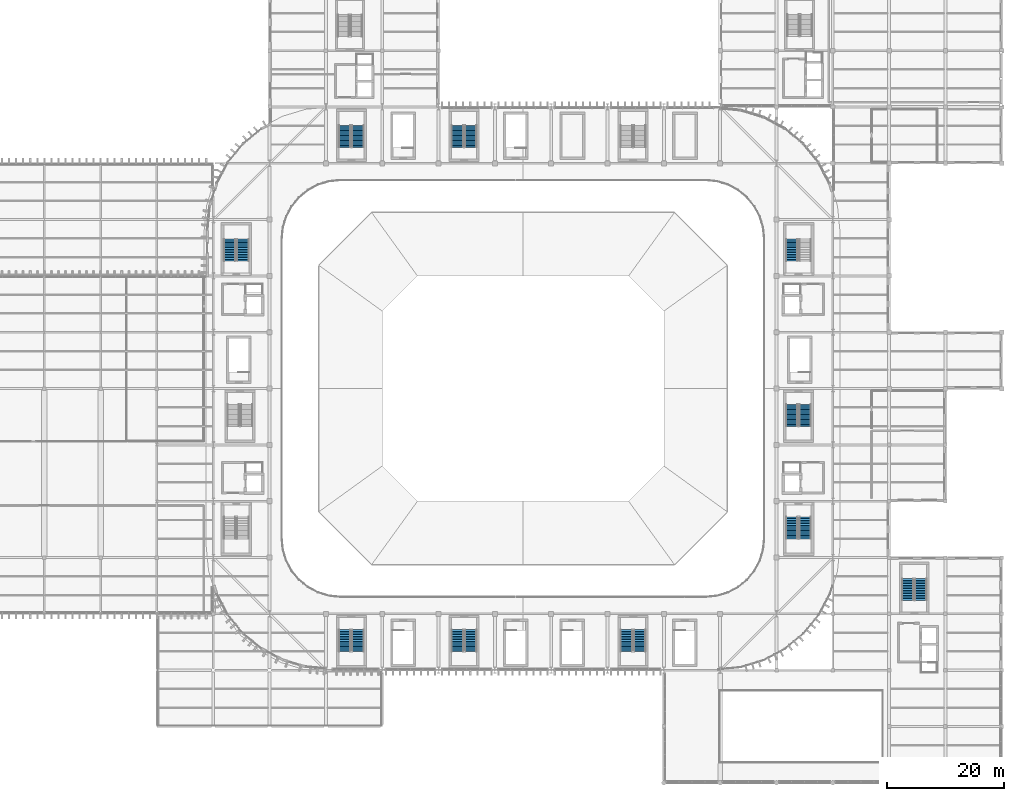
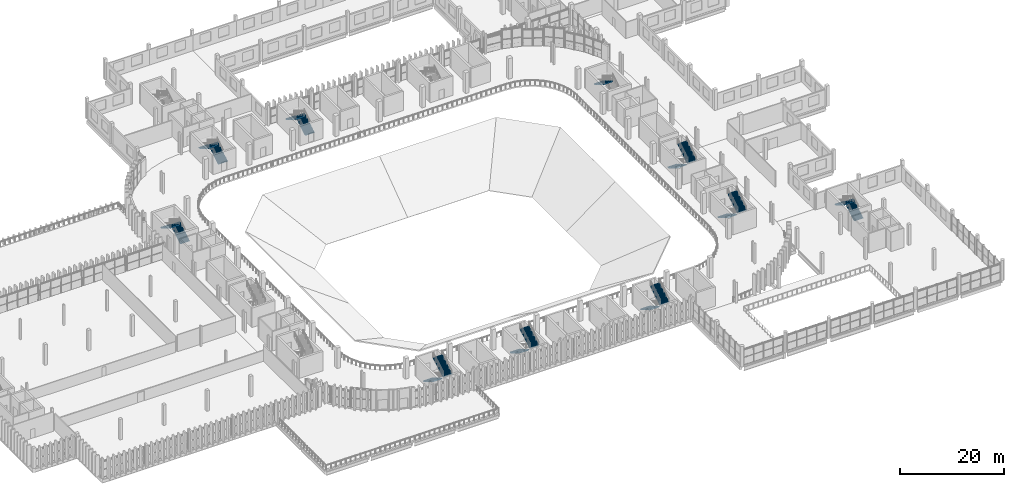
# One storey, part 70 of 99: 19 stair flights, 10 elements without a shape of their own.
"""IFC4 building model written with IfcOpenShell, lengths in metres."""

from ifc_helpers import new_model, si_unit, direction, frame, origin, place, context, subcontext, project, spatial, polyline, outline, extrude, material, type_object, element, aggregate, save


model = new_model("IFC4")

# Units and contexts
model_context = context("Model", 3, precision=1e-05, world=origin(), true_north=direction((0.0, 1.0)))
body_context = subcontext(model_context, "Body", "Model", "MODEL_VIEW")
ifc_project = project(units=[si_unit("LENGTHUNIT", "METRE"), si_unit("AREAUNIT", "SQUARE_METRE"), si_unit("VOLUMEUNIT", "CUBIC_METRE"), si_unit("PLANEANGLEUNIT", "RADIAN"), si_unit("MASSUNIT", "GRAM", prefix="KILO")], contexts=[model_context])

# Site, building, storey
site_placement = place(None, origin())
site = spatial("IfcSite", under=ifc_project, at=site_placement, CompositionType="ELEMENT")
building_placement = place(site_placement, origin())
building = spatial("IfcBuilding", under=site, at=building_placement, Name="Caelomonte Colonnade Arena", CompositionType="ELEMENT")
storey_placement = place(building_placement, frame((0.0, 0.0, 4.800048828125)))
storey = spatial("IfcBuildingStorey", under=building, at=storey_placement, Name="L01", CompositionType="ELEMENT", Elevation=4.800048828125)

# Stair, stair flights
ifc_material = material(Name="Concrete C40/50", Category="concrete")
stair_type_1 = type_object("IfcStairType", Name="INT-ST-CORE48", PredefinedType="HALF_TURN_STAIR", material=ifc_material)
stair_1_placement = place(storey_placement, origin())
stair_1 = element("IfcStair", 1, at=stair_1_placement, inside=storey, type_object=stair_type_1, Name="L01 Protected exit stair ST-10", PredefinedType="HALF_TURN_STAIR")
stair_flight_type_1 = type_object("IfcStairFlightType", Name="INT-SF-CORE48", PredefinedType="STRAIGHT", material=ifc_material)
stair_flight_1_placement = place(storey_placement, frame((156.22509765625, 64.5, 0.0), z_axis=(0.0, 0.0, 1.0), x_axis=(0.0, -1.0, 0.0)))
stair_flight_1 = element("IfcStairFlight", 2, at=stair_flight_1_placement, type_object=stair_flight_type_1, Name="ST-10 flight 1", NumberOfRisers=14, NumberOfTreads=13, PredefinedType="STRAIGHT", RiserHeight=0.171428571, TreadLength=0.285, context=body_context, shape_type="SweptSolid", body=[
    extrude(outline(polyline([(-0.02490234375, 0.0), (-0.02490234375, 0.102783203125), (0.0, 0.102783203125), (0.0, 0.17138671875), (0.284912109375, 0.17138671875), (0.284912109375, 0.3427734375), (0.570068359375, 0.3427734375), (0.570068359375, 0.514404296875), (0.85498046875, 0.514404296875), (0.85498046875, 0.685791015625), (1.139892578125, 0.685791015625), (1.139892578125, 0.857177734375), (1.425048828125, 0.857177734375), (1.425048828125, 1.028564453125), (1.7099609375, 1.028564453125), (1.7099609375, 1.199951171875), (1.9951171875, 1.199951171875), (1.9951171875, 1.371337890625), (2.280029296875, 1.371337890625), (2.280029296875, 1.54296875), (2.56494140625, 1.54296875), (2.56494140625, 1.71435546875), (2.85009765625, 1.71435546875), (2.85009765625, 1.8857421875), (3.135009765625, 1.8857421875), (3.135009765625, 2.05712890625), (3.419921875, 2.05712890625), (3.419921875, 2.228515625), (3.705078125, 2.228515625), (3.705078125, 2.39990234375), (3.72998046875, 2.39990234375), (3.72998046875, 2.0537109375), (0.290771484375, 0.0), (-0.02490234375, 0.0)])), frame((0.0, 1.02490234375, 0.0), z_axis=(0.0, -1.0, 0.0), x_axis=(1.0, 0.0, 0.0)), (0.0, 0.0, 1.0), 2.050048828125),
])
stair_flight_2_placement = place(storey_placement, frame((158.47509765625, 60.794921875, 2.39990234375), z_axis=(0.0, 0.0, 1.0), x_axis=(0.0, 1.0, 0.0)))
stair_flight_2 = element("IfcStairFlight", 3, at=stair_flight_2_placement, type_object=stair_flight_type_1, Name="ST-10 flight 2", NumberOfRisers=14, NumberOfTreads=13, PredefinedType="STRAIGHT", RiserHeight=0.171428571, TreadLength=0.285, context=body_context, shape_type="SweptSolid", body=[
    extrude(outline(polyline([(-0.02490234375, 0.0), (-0.02490234375, 0.102783203125), (0.0, 0.102783203125), (0.0, 0.17138671875), (0.284912109375, 0.17138671875), (0.284912109375, 0.3427734375), (0.570068359375, 0.3427734375), (0.570068359375, 0.514404296875), (0.85498046875, 0.514404296875), (0.85498046875, 0.685791015625), (1.139892578125, 0.685791015625), (1.139892578125, 0.857177734375), (1.425048828125, 0.857177734375), (1.425048828125, 1.028564453125), (1.7099609375, 1.028564453125), (1.7099609375, 1.199951171875), (1.9951171875, 1.199951171875), (1.9951171875, 1.371337890625), (2.280029296875, 1.371337890625), (2.280029296875, 1.54296875), (2.56494140625, 1.54296875), (2.56494140625, 1.71435546875), (2.85009765625, 1.71435546875), (2.85009765625, 1.8857421875), (3.135009765625, 1.8857421875), (3.135009765625, 2.05712890625), (3.419921875, 2.05712890625), (3.419921875, 2.228515625), (3.705078125, 2.228515625), (3.705078125, 2.39990234375), (3.72998046875, 2.39990234375), (3.72998046875, 2.0537109375), (0.290771484375, 0.0), (-0.02490234375, 0.0)])), frame((0.0, 1.02490234375, 0.0), z_axis=(0.0, -1.0, 0.0), x_axis=(1.0, 0.0, 0.0)), (0.0, 0.0, 1.0), 2.050048828125),
])
aggregate(stair_1, [stair_flight_1, stair_flight_2])

stair_2_placement = place(storey_placement, origin())
stair_2 = element("IfcStair", 4, at=stair_2_placement, inside=storey, type_object=stair_type_1, Name="L01 Protected exit stair ST-11", PredefinedType="HALF_TURN_STAIR")
stair_flight_3_placement = place(storey_placement, frame((80.02490234375, 26.10009765625, 0.0), z_axis=(0.0, 0.0, 1.0), x_axis=(0.0, -1.0, 0.0)))
stair_flight_3 = element("IfcStairFlight", 5, at=stair_flight_3_placement, type_object=stair_flight_type_1, Name="ST-11 flight 1", NumberOfRisers=14, NumberOfTreads=13, PredefinedType="STRAIGHT", RiserHeight=0.171428571, TreadLength=0.285, context=body_context, shape_type="SweptSolid", body=[
    extrude(outline(polyline([(-0.02490234375, 0.0), (-0.02490234375, 0.102783203125), (0.0, 0.102783203125), (0.0, 0.17138671875), (0.284912109375, 0.17138671875), (0.284912109375, 0.3427734375), (0.570068359375, 0.3427734375), (0.570068359375, 0.514404296875), (0.85498046875, 0.514404296875), (0.85498046875, 0.685791015625), (1.139892578125, 0.685791015625), (1.139892578125, 0.857177734375), (1.425048828125, 0.857177734375), (1.425048828125, 1.028564453125), (1.7099609375, 1.028564453125), (1.7099609375, 1.199951171875), (1.9951171875, 1.199951171875), (1.9951171875, 1.371337890625), (2.280029296875, 1.371337890625), (2.280029296875, 1.54296875), (2.56494140625, 1.54296875), (2.56494140625, 1.71435546875), (2.85009765625, 1.71435546875), (2.85009765625, 1.8857421875), (3.135009765625, 1.8857421875), (3.135009765625, 2.05712890625), (3.419921875, 2.05712890625), (3.419921875, 2.228515625), (3.705078125, 2.228515625), (3.705078125, 2.39990234375), (3.72998046875, 2.39990234375), (3.72998046875, 2.0537109375), (0.290771484375, 0.0), (-0.02490234375, 0.0)])), frame((0.0, 1.02490234375, 0.0), z_axis=(0.0, -1.0, 0.0), x_axis=(1.0, 0.0, 0.0)), (0.0, 0.0, 1.0), 2.050048828125),
])
stair_flight_4_placement = place(storey_placement, frame((82.27490234375, 22.39501953125, 2.39990234375), z_axis=(0.0, 0.0, 1.0), x_axis=(0.0, 1.0, 0.0)))
stair_flight_4 = element("IfcStairFlight", 6, at=stair_flight_4_placement, type_object=stair_flight_type_1, Name="ST-11 flight 2", NumberOfRisers=14, NumberOfTreads=13, PredefinedType="STRAIGHT", RiserHeight=0.171428571, TreadLength=0.285, context=body_context, shape_type="SweptSolid", body=[
    extrude(outline(polyline([(-0.02490234375, 0.0), (-0.02490234375, 0.102783203125), (0.0, 0.102783203125), (0.0, 0.17138671875), (0.284912109375, 0.17138671875), (0.284912109375, 0.3427734375), (0.570068359375, 0.3427734375), (0.570068359375, 0.514404296875), (0.85498046875, 0.514404296875), (0.85498046875, 0.685791015625), (1.139892578125, 0.685791015625), (1.139892578125, 0.857177734375), (1.425048828125, 0.857177734375), (1.425048828125, 1.028564453125), (1.7099609375, 1.028564453125), (1.7099609375, 1.199951171875), (1.9951171875, 1.199951171875), (1.9951171875, 1.371337890625), (2.280029296875, 1.371337890625), (2.280029296875, 1.54296875), (2.56494140625, 1.54296875), (2.56494140625, 1.71435546875), (2.85009765625, 1.71435546875), (2.85009765625, 1.8857421875), (3.135009765625, 1.8857421875), (3.135009765625, 2.05712890625), (3.419921875, 2.05712890625), (3.419921875, 2.228515625), (3.705078125, 2.228515625), (3.705078125, 2.39990234375), (3.72998046875, 2.39990234375), (3.72998046875, 2.0537109375), (0.290771484375, 0.0), (-0.02490234375, 0.0)])), frame((0.0, 1.02490234375, 0.0), z_axis=(0.0, -1.0, 0.0), x_axis=(1.0, 0.0, 0.0)), (0.0, 0.0, 1.0), 2.050048828125),
])
aggregate(stair_2, [stair_flight_3, stair_flight_4])

stair_3_placement = place(storey_placement, origin())
stair_3 = element("IfcStair", 7, at=stair_3_placement, inside=storey, type_object=stair_type_1, Name="L01 Protected exit stair ST-12", PredefinedType="HALF_TURN_STAIR")
stair_flight_5_placement = place(storey_placement, frame((99.22509765625, 26.10009765625, 0.0), z_axis=(0.0, 0.0, 1.0), x_axis=(0.0, -1.0, 0.0)))
stair_flight_5 = element("IfcStairFlight", 8, at=stair_flight_5_placement, type_object=stair_flight_type_1, Name="ST-12 flight 1", NumberOfRisers=14, NumberOfTreads=13, PredefinedType="STRAIGHT", RiserHeight=0.171428571, TreadLength=0.285, context=body_context, shape_type="SweptSolid", body=[
    extrude(outline(polyline([(-0.02490234375, 0.0), (-0.02490234375, 0.102783203125), (0.0, 0.102783203125), (0.0, 0.17138671875), (0.284912109375, 0.17138671875), (0.284912109375, 0.3427734375), (0.570068359375, 0.3427734375), (0.570068359375, 0.514404296875), (0.85498046875, 0.514404296875), (0.85498046875, 0.685791015625), (1.139892578125, 0.685791015625), (1.139892578125, 0.857177734375), (1.425048828125, 0.857177734375), (1.425048828125, 1.028564453125), (1.7099609375, 1.028564453125), (1.7099609375, 1.199951171875), (1.9951171875, 1.199951171875), (1.9951171875, 1.371337890625), (2.280029296875, 1.371337890625), (2.280029296875, 1.54296875), (2.56494140625, 1.54296875), (2.56494140625, 1.71435546875), (2.85009765625, 1.71435546875), (2.85009765625, 1.8857421875), (3.135009765625, 1.8857421875), (3.135009765625, 2.05712890625), (3.419921875, 2.05712890625), (3.419921875, 2.228515625), (3.705078125, 2.228515625), (3.705078125, 2.39990234375), (3.72998046875, 2.39990234375), (3.72998046875, 2.0537109375), (0.290771484375, 0.0), (-0.02490234375, 0.0)])), frame((0.0, 1.02490234375, 0.0), z_axis=(0.0, -1.0, 0.0), x_axis=(1.0, 0.0, 0.0)), (0.0, 0.0, 1.0), 2.050048828125),
])
stair_flight_6_placement = place(storey_placement, frame((101.47509765625, 22.39501953125, 2.39990234375), z_axis=(0.0, 0.0, 1.0), x_axis=(0.0, 1.0, 0.0)))
stair_flight_6 = element("IfcStairFlight", 9, at=stair_flight_6_placement, type_object=stair_flight_type_1, Name="ST-12 flight 2", NumberOfRisers=14, NumberOfTreads=13, PredefinedType="STRAIGHT", RiserHeight=0.171428571, TreadLength=0.285, context=body_context, shape_type="SweptSolid", body=[
    extrude(outline(polyline([(-0.02490234375, 0.0), (-0.02490234375, 0.102783203125), (0.0, 0.102783203125), (0.0, 0.17138671875), (0.284912109375, 0.17138671875), (0.284912109375, 0.3427734375), (0.570068359375, 0.3427734375), (0.570068359375, 0.514404296875), (0.85498046875, 0.514404296875), (0.85498046875, 0.685791015625), (1.139892578125, 0.685791015625), (1.139892578125, 0.857177734375), (1.425048828125, 0.857177734375), (1.425048828125, 1.028564453125), (1.7099609375, 1.028564453125), (1.7099609375, 1.199951171875), (1.9951171875, 1.199951171875), (1.9951171875, 1.371337890625), (2.280029296875, 1.371337890625), (2.280029296875, 1.54296875), (2.56494140625, 1.54296875), (2.56494140625, 1.71435546875), (2.85009765625, 1.71435546875), (2.85009765625, 1.8857421875), (3.135009765625, 1.8857421875), (3.135009765625, 2.05712890625), (3.419921875, 2.05712890625), (3.419921875, 2.228515625), (3.705078125, 2.228515625), (3.705078125, 2.39990234375), (3.72998046875, 2.39990234375), (3.72998046875, 2.0537109375), (0.290771484375, 0.0), (-0.02490234375, 0.0)])), frame((0.0, 1.02490234375, 0.0), z_axis=(0.0, -1.0, 0.0), x_axis=(1.0, 0.0, 0.0)), (0.0, 0.0, 1.0), 2.050048828125),
])
aggregate(stair_3, [stair_flight_5, stair_flight_6])

stair_4_placement = place(storey_placement, origin())
stair_4 = element("IfcStair", 10, at=stair_4_placement, inside=storey, type_object=stair_type_1, Name="L01 Protected exit stair ST-13", PredefinedType="HALF_TURN_STAIR")
stair_flight_7_placement = place(storey_placement, frame((128.02490234375, 26.10009765625, 0.0), z_axis=(0.0, 0.0, 1.0), x_axis=(0.0, -1.0, 0.0)))
stair_flight_7 = element("IfcStairFlight", 11, at=stair_flight_7_placement, type_object=stair_flight_type_1, Name="ST-13 flight 1", NumberOfRisers=14, NumberOfTreads=13, PredefinedType="STRAIGHT", RiserHeight=0.171428571, TreadLength=0.285, context=body_context, shape_type="SweptSolid", body=[
    extrude(outline(polyline([(-0.02490234375, 0.0), (-0.02490234375, 0.102783203125), (0.0, 0.102783203125), (0.0, 0.17138671875), (0.284912109375, 0.17138671875), (0.284912109375, 0.3427734375), (0.570068359375, 0.3427734375), (0.570068359375, 0.514404296875), (0.85498046875, 0.514404296875), (0.85498046875, 0.685791015625), (1.139892578125, 0.685791015625), (1.139892578125, 0.857177734375), (1.425048828125, 0.857177734375), (1.425048828125, 1.028564453125), (1.7099609375, 1.028564453125), (1.7099609375, 1.199951171875), (1.9951171875, 1.199951171875), (1.9951171875, 1.371337890625), (2.280029296875, 1.371337890625), (2.280029296875, 1.54296875), (2.56494140625, 1.54296875), (2.56494140625, 1.71435546875), (2.85009765625, 1.71435546875), (2.85009765625, 1.8857421875), (3.135009765625, 1.8857421875), (3.135009765625, 2.05712890625), (3.419921875, 2.05712890625), (3.419921875, 2.228515625), (3.705078125, 2.228515625), (3.705078125, 2.39990234375), (3.72998046875, 2.39990234375), (3.72998046875, 2.0537109375), (0.290771484375, 0.0), (-0.02490234375, 0.0)])), frame((0.0, 1.02490234375, 0.0), z_axis=(0.0, -1.0, 0.0), x_axis=(1.0, 0.0, 0.0)), (0.0, 0.0, 1.0), 2.050048828125),
])
stair_flight_8_placement = place(storey_placement, frame((130.27490234375, 22.39501953125, 2.39990234375), z_axis=(0.0, 0.0, 1.0), x_axis=(0.0, 1.0, 0.0)))
stair_flight_8 = element("IfcStairFlight", 12, at=stair_flight_8_placement, type_object=stair_flight_type_1, Name="ST-13 flight 2", NumberOfRisers=14, NumberOfTreads=13, PredefinedType="STRAIGHT", RiserHeight=0.171428571, TreadLength=0.285, context=body_context, shape_type="SweptSolid", body=[
    extrude(outline(polyline([(-0.02490234375, 0.0), (-0.02490234375, 0.102783203125), (0.0, 0.102783203125), (0.0, 0.17138671875), (0.284912109375, 0.17138671875), (0.284912109375, 0.3427734375), (0.570068359375, 0.3427734375), (0.570068359375, 0.514404296875), (0.85498046875, 0.514404296875), (0.85498046875, 0.685791015625), (1.139892578125, 0.685791015625), (1.139892578125, 0.857177734375), (1.425048828125, 0.857177734375), (1.425048828125, 1.028564453125), (1.7099609375, 1.028564453125), (1.7099609375, 1.199951171875), (1.9951171875, 1.199951171875), (1.9951171875, 1.371337890625), (2.280029296875, 1.371337890625), (2.280029296875, 1.54296875), (2.56494140625, 1.54296875), (2.56494140625, 1.71435546875), (2.85009765625, 1.71435546875), (2.85009765625, 1.8857421875), (3.135009765625, 1.8857421875), (3.135009765625, 2.05712890625), (3.419921875, 2.05712890625), (3.419921875, 2.228515625), (3.705078125, 2.228515625), (3.705078125, 2.39990234375), (3.72998046875, 2.39990234375), (3.72998046875, 2.0537109375), (0.290771484375, 0.0), (-0.02490234375, 0.0)])), frame((0.0, 1.02490234375, 0.0), z_axis=(0.0, -1.0, 0.0), x_axis=(1.0, 0.0, 0.0)), (0.0, 0.0, 1.0), 2.050048828125),
])
aggregate(stair_4, [stair_flight_7, stair_flight_8])

stair_5_placement = place(storey_placement, origin())
stair_5 = element("IfcStair", 13, at=stair_5_placement, inside=storey, type_object=stair_type_1, Name="L01 Protected exit stair ST-14", PredefinedType="HALF_TURN_STAIR")
stair_flight_9_placement = place(storey_placement, frame((82.27490234375, 108.35009765625, 0.0), z_axis=(0.0, 0.0, 1.0), x_axis=(0.0, 1.0, 0.0)))
stair_flight_9 = element("IfcStairFlight", 14, at=stair_flight_9_placement, type_object=stair_flight_type_1, Name="ST-14 flight 1", NumberOfRisers=14, NumberOfTreads=13, PredefinedType="STRAIGHT", RiserHeight=0.171428571, TreadLength=0.285, context=body_context, shape_type="SweptSolid", body=[
    extrude(outline(polyline([(-0.02490234375, 0.0), (-0.02490234375, 0.102783203125), (0.0, 0.102783203125), (0.0, 0.17138671875), (0.284912109375, 0.17138671875), (0.284912109375, 0.3427734375), (0.570068359375, 0.3427734375), (0.570068359375, 0.514404296875), (0.85498046875, 0.514404296875), (0.85498046875, 0.685791015625), (1.139892578125, 0.685791015625), (1.139892578125, 0.857177734375), (1.425048828125, 0.857177734375), (1.425048828125, 1.028564453125), (1.7099609375, 1.028564453125), (1.7099609375, 1.199951171875), (1.9951171875, 1.199951171875), (1.9951171875, 1.371337890625), (2.280029296875, 1.371337890625), (2.280029296875, 1.54296875), (2.56494140625, 1.54296875), (2.56494140625, 1.71435546875), (2.85009765625, 1.71435546875), (2.85009765625, 1.8857421875), (3.135009765625, 1.8857421875), (3.135009765625, 2.05712890625), (3.419921875, 2.05712890625), (3.419921875, 2.228515625), (3.705078125, 2.228515625), (3.705078125, 2.39990234375), (3.72998046875, 2.39990234375), (3.72998046875, 2.0537109375), (0.290771484375, 0.0), (-0.02490234375, 0.0)])), frame((0.0, 1.02490234375, 0.0), z_axis=(0.0, -1.0, 0.0), x_axis=(1.0, 0.0, 0.0)), (0.0, 0.0, 1.0), 2.050048828125),
])
stair_flight_10_placement = place(storey_placement, frame((80.02490234375, 112.054931640625, 2.39990234375), z_axis=(0.0, 0.0, 1.0), x_axis=(0.0, -1.0, 0.0)))
stair_flight_10 = element("IfcStairFlight", 15, at=stair_flight_10_placement, type_object=stair_flight_type_1, Name="ST-14 flight 2", NumberOfRisers=14, NumberOfTreads=13, PredefinedType="STRAIGHT", RiserHeight=0.171428571, TreadLength=0.285, context=body_context, shape_type="SweptSolid", body=[
    extrude(outline(polyline([(-0.02490234375, 0.0), (-0.02490234375, 0.102783203125), (0.0, 0.102783203125), (0.0, 0.17138671875), (0.284912109375, 0.17138671875), (0.284912109375, 0.3427734375), (0.570068359375, 0.3427734375), (0.570068359375, 0.514404296875), (0.85498046875, 0.514404296875), (0.85498046875, 0.685791015625), (1.139892578125, 0.685791015625), (1.139892578125, 0.857177734375), (1.425048828125, 0.857177734375), (1.425048828125, 1.028564453125), (1.7099609375, 1.028564453125), (1.7099609375, 1.199951171875), (1.9951171875, 1.199951171875), (1.9951171875, 1.371337890625), (2.280029296875, 1.371337890625), (2.280029296875, 1.54296875), (2.56494140625, 1.54296875), (2.56494140625, 1.71435546875), (2.85009765625, 1.71435546875), (2.85009765625, 1.8857421875), (3.135009765625, 1.8857421875), (3.135009765625, 2.05712890625), (3.419921875, 2.05712890625), (3.419921875, 2.228515625), (3.705078125, 2.228515625), (3.705078125, 2.39990234375), (3.72998046875, 2.39990234375), (3.72998046875, 2.0537109375), (0.290771484375, 0.0), (-0.02490234375, 0.0)])), frame((0.0, 1.02490234375, 0.0), z_axis=(0.0, -1.0, 0.0), x_axis=(1.0, 0.0, 0.0)), (0.0, 0.0, 1.0), 2.050048828125),
])
aggregate(stair_5, [stair_flight_9, stair_flight_10])

stair_6_placement = place(storey_placement, origin())
stair_6 = element("IfcStair", 16, at=stair_6_placement, inside=storey, type_object=stair_type_1, Name="L01 Protected exit stair ST-15", PredefinedType="HALF_TURN_STAIR")
stair_flight_11_placement = place(storey_placement, frame((101.47509765625, 108.35009765625, 0.0), z_axis=(0.0, 0.0, 1.0), x_axis=(0.0, 1.0, 0.0)))
stair_flight_11 = element("IfcStairFlight", 17, at=stair_flight_11_placement, type_object=stair_flight_type_1, Name="ST-15 flight 1", NumberOfRisers=14, NumberOfTreads=13, PredefinedType="STRAIGHT", RiserHeight=0.171428571, TreadLength=0.285, context=body_context, shape_type="SweptSolid", body=[
    extrude(outline(polyline([(-0.02490234375, 0.0), (-0.02490234375, 0.102783203125), (0.0, 0.102783203125), (0.0, 0.17138671875), (0.284912109375, 0.17138671875), (0.284912109375, 0.3427734375), (0.570068359375, 0.3427734375), (0.570068359375, 0.514404296875), (0.85498046875, 0.514404296875), (0.85498046875, 0.685791015625), (1.139892578125, 0.685791015625), (1.139892578125, 0.857177734375), (1.425048828125, 0.857177734375), (1.425048828125, 1.028564453125), (1.7099609375, 1.028564453125), (1.7099609375, 1.199951171875), (1.9951171875, 1.199951171875), (1.9951171875, 1.371337890625), (2.280029296875, 1.371337890625), (2.280029296875, 1.54296875), (2.56494140625, 1.54296875), (2.56494140625, 1.71435546875), (2.85009765625, 1.71435546875), (2.85009765625, 1.8857421875), (3.135009765625, 1.8857421875), (3.135009765625, 2.05712890625), (3.419921875, 2.05712890625), (3.419921875, 2.228515625), (3.705078125, 2.228515625), (3.705078125, 2.39990234375), (3.72998046875, 2.39990234375), (3.72998046875, 2.0537109375), (0.290771484375, 0.0), (-0.02490234375, 0.0)])), frame((0.0, 1.02490234375, 0.0), z_axis=(0.0, -1.0, 0.0), x_axis=(1.0, 0.0, 0.0)), (0.0, 0.0, 1.0), 2.050048828125),
])
stair_flight_12_placement = place(storey_placement, frame((99.22509765625, 112.054931640625, 2.39990234375), z_axis=(0.0, 0.0, 1.0), x_axis=(0.0, -1.0, 0.0)))
stair_flight_12 = element("IfcStairFlight", 18, at=stair_flight_12_placement, type_object=stair_flight_type_1, Name="ST-15 flight 2", NumberOfRisers=14, NumberOfTreads=13, PredefinedType="STRAIGHT", RiserHeight=0.171428571, TreadLength=0.285, context=body_context, shape_type="SweptSolid", body=[
    extrude(outline(polyline([(-0.02490234375, 0.0), (-0.02490234375, 0.102783203125), (0.0, 0.102783203125), (0.0, 0.17138671875), (0.284912109375, 0.17138671875), (0.284912109375, 0.3427734375), (0.570068359375, 0.3427734375), (0.570068359375, 0.514404296875), (0.85498046875, 0.514404296875), (0.85498046875, 0.685791015625), (1.139892578125, 0.685791015625), (1.139892578125, 0.857177734375), (1.425048828125, 0.857177734375), (1.425048828125, 1.028564453125), (1.7099609375, 1.028564453125), (1.7099609375, 1.199951171875), (1.9951171875, 1.199951171875), (1.9951171875, 1.371337890625), (2.280029296875, 1.371337890625), (2.280029296875, 1.54296875), (2.56494140625, 1.54296875), (2.56494140625, 1.71435546875), (2.85009765625, 1.71435546875), (2.85009765625, 1.8857421875), (3.135009765625, 1.8857421875), (3.135009765625, 2.05712890625), (3.419921875, 2.05712890625), (3.419921875, 2.228515625), (3.705078125, 2.228515625), (3.705078125, 2.39990234375), (3.72998046875, 2.39990234375), (3.72998046875, 2.0537109375), (0.290771484375, 0.0), (-0.02490234375, 0.0)])), frame((0.0, 1.02490234375, 0.0), z_axis=(0.0, -1.0, 0.0), x_axis=(1.0, 0.0, 0.0)), (0.0, 0.0, 1.0), 2.050048828125),
])
aggregate(stair_6, [stair_flight_11, stair_flight_12])

stair_type_2 = type_object("IfcStairType", Name="INT-ST-WING48", PredefinedType="HALF_TURN_STAIR", material=ifc_material)
stair_7_placement = place(storey_placement, origin())
stair_7 = element("IfcStair", 19, at=stair_7_placement, inside=storey, type_object=stair_type_2, Name="L01 Core C4 exit stair ST-04", PredefinedType="HALF_TURN_STAIR")
stair_flight_type_2 = type_object("IfcStairFlightType", Name="INT-SF-WING48", PredefinedType="STRAIGHT", material=ifc_material)
stair_flight_13_placement = place(storey_placement, frame((62.675048828125, 88.949951171875, 0.0), z_axis=(0.0, 0.0, 1.0), x_axis=(0.0, 1.0, 0.0)))
stair_flight_13 = element("IfcStairFlight", 20, at=stair_flight_13_placement, type_object=stair_flight_type_2, Name="ST-04 flight 1", NumberOfRisers=14, NumberOfTreads=13, PredefinedType="STRAIGHT", RiserHeight=0.171428571, TreadLength=0.285, context=body_context, shape_type="SweptSolid", body=[
    extrude(outline(polyline([(-0.02490234375, 0.0), (-0.02490234375, 0.102783203125), (0.0, 0.102783203125), (0.0, 0.17138671875), (0.284912109375, 0.17138671875), (0.284912109375, 0.3427734375), (0.570068359375, 0.3427734375), (0.570068359375, 0.514404296875), (0.85498046875, 0.514404296875), (0.85498046875, 0.685791015625), (1.139892578125, 0.685791015625), (1.139892578125, 0.857177734375), (1.425048828125, 0.857177734375), (1.425048828125, 1.028564453125), (1.7099609375, 1.028564453125), (1.7099609375, 1.199951171875), (1.9951171875, 1.199951171875), (1.9951171875, 1.371337890625), (2.280029296875, 1.371337890625), (2.280029296875, 1.54296875), (2.56494140625, 1.54296875), (2.56494140625, 1.71435546875), (2.85009765625, 1.71435546875), (2.85009765625, 1.8857421875), (3.135009765625, 1.8857421875), (3.135009765625, 2.05712890625), (3.419921875, 2.05712890625), (3.419921875, 2.228515625), (3.705078125, 2.228515625), (3.705078125, 2.39990234375), (3.72998046875, 2.39990234375), (3.72998046875, 2.0537109375), (0.290771484375, 0.0), (-0.02490234375, 0.0)])), frame((0.0, 1.02490234375, 0.0), z_axis=(0.0, -1.0, 0.0), x_axis=(1.0, 0.0, 0.0)), (0.0, 0.0, 1.0), 2.050048828125),
])
stair_flight_14_placement = place(storey_placement, frame((60.425048828125, 92.655029296875, 2.39990234375), z_axis=(0.0, 0.0, 1.0), x_axis=(0.0, -1.0, 0.0)))
stair_flight_14 = element("IfcStairFlight", 21, at=stair_flight_14_placement, type_object=stair_flight_type_2, Name="ST-04 flight 2", NumberOfRisers=14, NumberOfTreads=13, PredefinedType="STRAIGHT", RiserHeight=0.171428571, TreadLength=0.285, context=body_context, shape_type="SweptSolid", body=[
    extrude(outline(polyline([(-0.02490234375, 0.0), (-0.02490234375, 0.102783203125), (0.0, 0.102783203125), (0.0, 0.17138671875), (0.284912109375, 0.17138671875), (0.284912109375, 0.3427734375), (0.570068359375, 0.3427734375), (0.570068359375, 0.514404296875), (0.85498046875, 0.514404296875), (0.85498046875, 0.685791015625), (1.139892578125, 0.685791015625), (1.139892578125, 0.857177734375), (1.425048828125, 0.857177734375), (1.425048828125, 1.028564453125), (1.7099609375, 1.028564453125), (1.7099609375, 1.199951171875), (1.9951171875, 1.199951171875), (1.9951171875, 1.371337890625), (2.280029296875, 1.371337890625), (2.280029296875, 1.54296875), (2.56494140625, 1.54296875), (2.56494140625, 1.71435546875), (2.85009765625, 1.71435546875), (2.85009765625, 1.8857421875), (3.135009765625, 1.8857421875), (3.135009765625, 2.05712890625), (3.419921875, 2.05712890625), (3.419921875, 2.228515625), (3.705078125, 2.228515625), (3.705078125, 2.39990234375), (3.72998046875, 2.39990234375), (3.72998046875, 2.0537109375), (0.290771484375, 0.0), (-0.02490234375, 0.0)])), frame((0.0, 1.02490234375, 0.0), z_axis=(0.0, -1.0, 0.0), x_axis=(1.0, 0.0, 0.0)), (0.0, 0.0, 1.0), 2.050048828125),
])
aggregate(stair_7, [stair_flight_13, stair_flight_14])

stair_8_placement = place(storey_placement, origin())
stair_8 = element("IfcStair", 22, at=stair_8_placement, inside=storey, type_object=stair_type_2, Name="L01 Core C2 exit stair ST-02", PredefinedType="HALF_TURN_STAIR")
stair_flight_15_placement = place(storey_placement, frame((156.22509765625, 45.300048828125, 0.0), z_axis=(0.0, 0.0, 1.0), x_axis=(0.0, -1.0, 0.0)))
stair_flight_15 = element("IfcStairFlight", 23, at=stair_flight_15_placement, type_object=stair_flight_type_2, Name="ST-02 flight 1", NumberOfRisers=14, NumberOfTreads=13, PredefinedType="STRAIGHT", RiserHeight=0.171428571, TreadLength=0.285, context=body_context, shape_type="SweptSolid", body=[
    extrude(outline(polyline([(-0.02490234375, 0.0), (-0.02490234375, 0.102783203125), (0.0, 0.102783203125), (0.0, 0.17138671875), (0.284912109375, 0.17138671875), (0.284912109375, 0.3427734375), (0.570068359375, 0.3427734375), (0.570068359375, 0.514404296875), (0.85498046875, 0.514404296875), (0.85498046875, 0.685791015625), (1.139892578125, 0.685791015625), (1.139892578125, 0.857177734375), (1.425048828125, 0.857177734375), (1.425048828125, 1.028564453125), (1.7099609375, 1.028564453125), (1.7099609375, 1.199951171875), (1.9951171875, 1.199951171875), (1.9951171875, 1.371337890625), (2.280029296875, 1.371337890625), (2.280029296875, 1.54296875), (2.56494140625, 1.54296875), (2.56494140625, 1.71435546875), (2.85009765625, 1.71435546875), (2.85009765625, 1.8857421875), (3.135009765625, 1.8857421875), (3.135009765625, 2.05712890625), (3.419921875, 2.05712890625), (3.419921875, 2.228515625), (3.705078125, 2.228515625), (3.705078125, 2.39990234375), (3.72998046875, 2.39990234375), (3.72998046875, 2.0537109375), (0.290771484375, 0.0), (-0.02490234375, 0.0)])), frame((0.0, 1.02490234375, 0.0), z_axis=(0.0, -1.0, 0.0), x_axis=(1.0, 0.0, 0.0)), (0.0, 0.0, 1.0), 2.050048828125),
])
stair_flight_16_placement = place(storey_placement, frame((158.47509765625, 41.594970703125, 2.39990234375), z_axis=(0.0, 0.0, 1.0), x_axis=(0.0, 1.0, 0.0)))
stair_flight_16 = element("IfcStairFlight", 24, at=stair_flight_16_placement, type_object=stair_flight_type_2, Name="ST-02 flight 2", NumberOfRisers=14, NumberOfTreads=13, PredefinedType="STRAIGHT", RiserHeight=0.171428571, TreadLength=0.285, context=body_context, shape_type="SweptSolid", body=[
    extrude(outline(polyline([(-0.02490234375, 0.0), (-0.02490234375, 0.102783203125), (0.0, 0.102783203125), (0.0, 0.17138671875), (0.284912109375, 0.17138671875), (0.284912109375, 0.3427734375), (0.570068359375, 0.3427734375), (0.570068359375, 0.514404296875), (0.85498046875, 0.514404296875), (0.85498046875, 0.685791015625), (1.139892578125, 0.685791015625), (1.139892578125, 0.857177734375), (1.425048828125, 0.857177734375), (1.425048828125, 1.028564453125), (1.7099609375, 1.028564453125), (1.7099609375, 1.199951171875), (1.9951171875, 1.199951171875), (1.9951171875, 1.371337890625), (2.280029296875, 1.371337890625), (2.280029296875, 1.54296875), (2.56494140625, 1.54296875), (2.56494140625, 1.71435546875), (2.85009765625, 1.71435546875), (2.85009765625, 1.8857421875), (3.135009765625, 1.8857421875), (3.135009765625, 2.05712890625), (3.419921875, 2.05712890625), (3.419921875, 2.228515625), (3.705078125, 2.228515625), (3.705078125, 2.39990234375), (3.72998046875, 2.39990234375), (3.72998046875, 2.0537109375), (0.290771484375, 0.0), (-0.02490234375, 0.0)])), frame((0.0, 1.02490234375, 0.0), z_axis=(0.0, -1.0, 0.0), x_axis=(1.0, 0.0, 0.0)), (0.0, 0.0, 1.0), 2.050048828125),
])
aggregate(stair_8, [stair_flight_15, stair_flight_16])

# Stair, stair flight
stair_9_placement = place(storey_placement, origin())
stair_9 = element("IfcStair", 25, at=stair_9_placement, inside=storey, type_object=stair_type_2, Name="L01 Core C3 exit stair ST-03", PredefinedType="HALF_TURN_STAIR")
stair_flight_17_placement = place(storey_placement, frame((156.22509765625, 92.655029296875, 2.39990234375), z_axis=(0.0, 0.0, 1.0), x_axis=(0.0, -1.0, 0.0)))
stair_flight_17 = element("IfcStairFlight", 26, at=stair_flight_17_placement, type_object=stair_flight_type_2, Name="ST-03 flight 2", NumberOfRisers=14, NumberOfTreads=13, PredefinedType="STRAIGHT", RiserHeight=0.171428571, TreadLength=0.285, context=body_context, shape_type="SweptSolid", body=[
    extrude(outline(polyline([(-0.02490234375, 0.0), (-0.02490234375, 0.102783203125), (0.0, 0.102783203125), (0.0, 0.17138671875), (0.284912109375, 0.17138671875), (0.284912109375, 0.3427734375), (0.570068359375, 0.3427734375), (0.570068359375, 0.514404296875), (0.85498046875, 0.514404296875), (0.85498046875, 0.685791015625), (1.139892578125, 0.685791015625), (1.139892578125, 0.857177734375), (1.425048828125, 0.857177734375), (1.425048828125, 1.028564453125), (1.7099609375, 1.028564453125), (1.7099609375, 1.199951171875), (1.9951171875, 1.199951171875), (1.9951171875, 1.371337890625), (2.280029296875, 1.371337890625), (2.280029296875, 1.54296875), (2.56494140625, 1.54296875), (2.56494140625, 1.71435546875), (2.85009765625, 1.71435546875), (2.85009765625, 1.8857421875), (3.135009765625, 1.8857421875), (3.135009765625, 2.05712890625), (3.419921875, 2.05712890625), (3.419921875, 2.228515625), (3.705078125, 2.228515625), (3.705078125, 2.39990234375), (3.72998046875, 2.39990234375), (3.72998046875, 2.0537109375), (0.290771484375, 0.0), (-0.02490234375, 0.0)])), frame((0.0, 1.02490234375, 0.0), z_axis=(0.0, -1.0, 0.0), x_axis=(1.0, 0.0, 0.0)), (0.0, 0.0, 1.0), 2.050048828125),
])
aggregate(stair_9, [stair_flight_17])

# Stair, stair flights
stair_10_placement = place(storey_placement, origin())
stair_10 = element("IfcStair", 27, at=stair_10_placement, inside=storey, type_object=stair_type_2, Name="L01 Core C5 exit stair ST-05", PredefinedType="HALF_TURN_STAIR")
stair_flight_18_placement = place(storey_placement, frame((178.199951171875, 31.10009765625, 0.0), z_axis=(0.0, 0.0, 1.0), x_axis=(0.0, 1.0, 0.0)))
stair_flight_18 = element("IfcStairFlight", 28, at=stair_flight_18_placement, type_object=stair_flight_type_2, Name="ST-05 flight 1", NumberOfRisers=14, NumberOfTreads=13, PredefinedType="STRAIGHT", RiserHeight=0.171428571, TreadLength=0.285, context=body_context, shape_type="SweptSolid", body=[
    extrude(outline(polyline([(-0.02490234375, 0.0), (-0.02490234375, 0.102783203125), (0.0, 0.102783203125), (0.0, 0.17138671875), (0.284912109375, 0.17138671875), (0.284912109375, 0.3427734375), (0.570068359375, 0.3427734375), (0.570068359375, 0.514404296875), (0.85498046875, 0.514404296875), (0.85498046875, 0.685791015625), (1.139892578125, 0.685791015625), (1.139892578125, 0.857177734375), (1.425048828125, 0.857177734375), (1.425048828125, 1.028564453125), (1.7099609375, 1.028564453125), (1.7099609375, 1.199951171875), (1.9951171875, 1.199951171875), (1.9951171875, 1.371337890625), (2.280029296875, 1.371337890625), (2.280029296875, 1.54296875), (2.56494140625, 1.54296875), (2.56494140625, 1.71435546875), (2.85009765625, 1.71435546875), (2.85009765625, 1.8857421875), (3.135009765625, 1.8857421875), (3.135009765625, 2.05712890625), (3.419921875, 2.05712890625), (3.419921875, 2.228515625), (3.705078125, 2.228515625), (3.705078125, 2.39990234375), (3.72998046875, 2.39990234375), (3.72998046875, 2.0537109375), (0.290771484375, 0.0), (-0.02490234375, 0.0)])), frame((0.0, 1.0, 0.0), z_axis=(0.0, -1.0, 0.0), x_axis=(1.0, 0.0, 0.0)), (0.0, 0.0, 1.0), 2.0),
])
stair_flight_19_placement = place(storey_placement, frame((176.0, 34.804931640625, 2.39990234375), z_axis=(0.0, 0.0, 1.0), x_axis=(0.0, -1.0, 0.0)))
stair_flight_19 = element("IfcStairFlight", 29, at=stair_flight_19_placement, type_object=stair_flight_type_2, Name="ST-05 flight 2", NumberOfRisers=14, NumberOfTreads=13, PredefinedType="STRAIGHT", RiserHeight=0.171428571, TreadLength=0.285, context=body_context, shape_type="SweptSolid", body=[
    extrude(outline(polyline([(-0.02490234375, 0.0), (-0.02490234375, 0.102783203125), (0.0, 0.102783203125), (0.0, 0.17138671875), (0.284912109375, 0.17138671875), (0.284912109375, 0.3427734375), (0.570068359375, 0.3427734375), (0.570068359375, 0.514404296875), (0.85498046875, 0.514404296875), (0.85498046875, 0.685791015625), (1.139892578125, 0.685791015625), (1.139892578125, 0.857177734375), (1.425048828125, 0.857177734375), (1.425048828125, 1.028564453125), (1.7099609375, 1.028564453125), (1.7099609375, 1.199951171875), (1.9951171875, 1.199951171875), (1.9951171875, 1.371337890625), (2.280029296875, 1.371337890625), (2.280029296875, 1.54296875), (2.56494140625, 1.54296875), (2.56494140625, 1.71435546875), (2.85009765625, 1.71435546875), (2.85009765625, 1.8857421875), (3.135009765625, 1.8857421875), (3.135009765625, 2.05712890625), (3.419921875, 2.05712890625), (3.419921875, 2.228515625), (3.705078125, 2.228515625), (3.705078125, 2.39990234375), (3.72998046875, 2.39990234375), (3.72998046875, 2.0537109375), (0.290771484375, 0.0), (-0.02490234375, 0.0)])), frame((0.0, 1.0, 0.0), z_axis=(0.0, -1.0, 0.0), x_axis=(1.0, 0.0, 0.0)), (0.0, 0.0, 1.0), 2.0),
])
aggregate(stair_10, [stair_flight_18, stair_flight_19])

save(model, "model.ifc")
